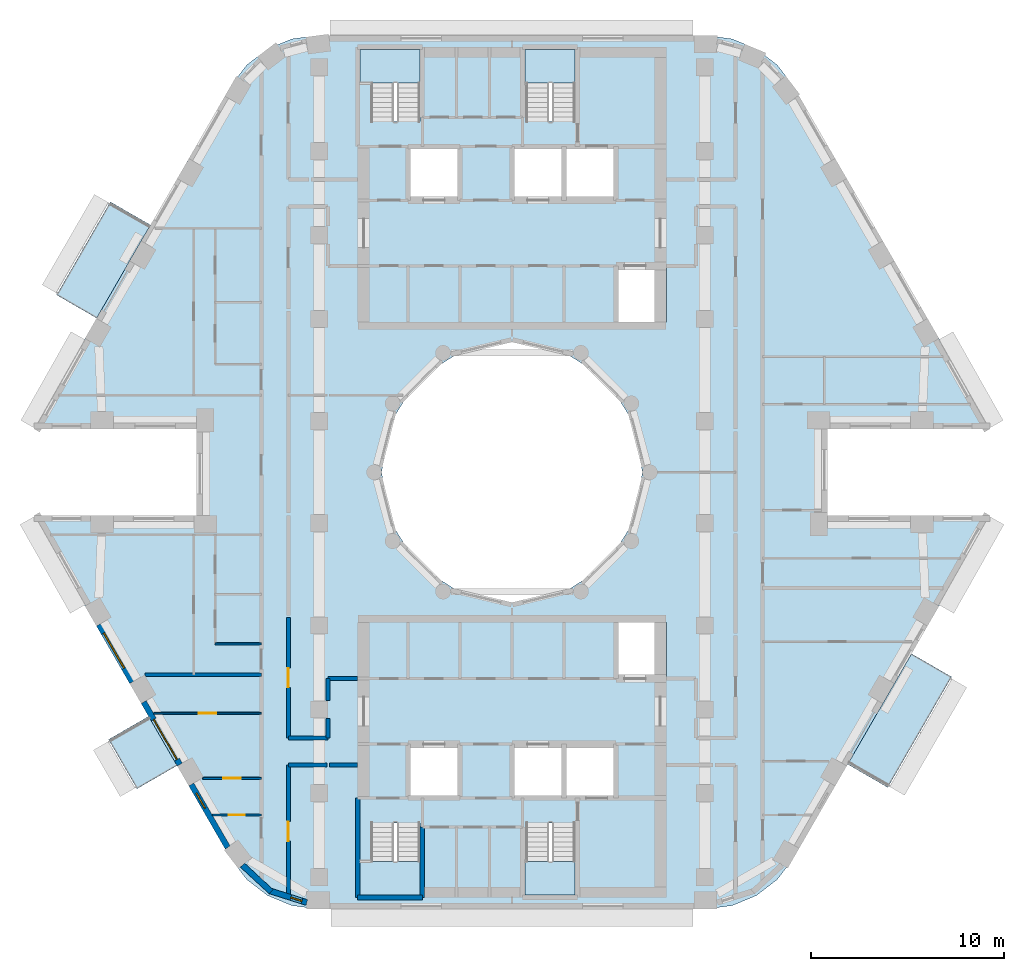
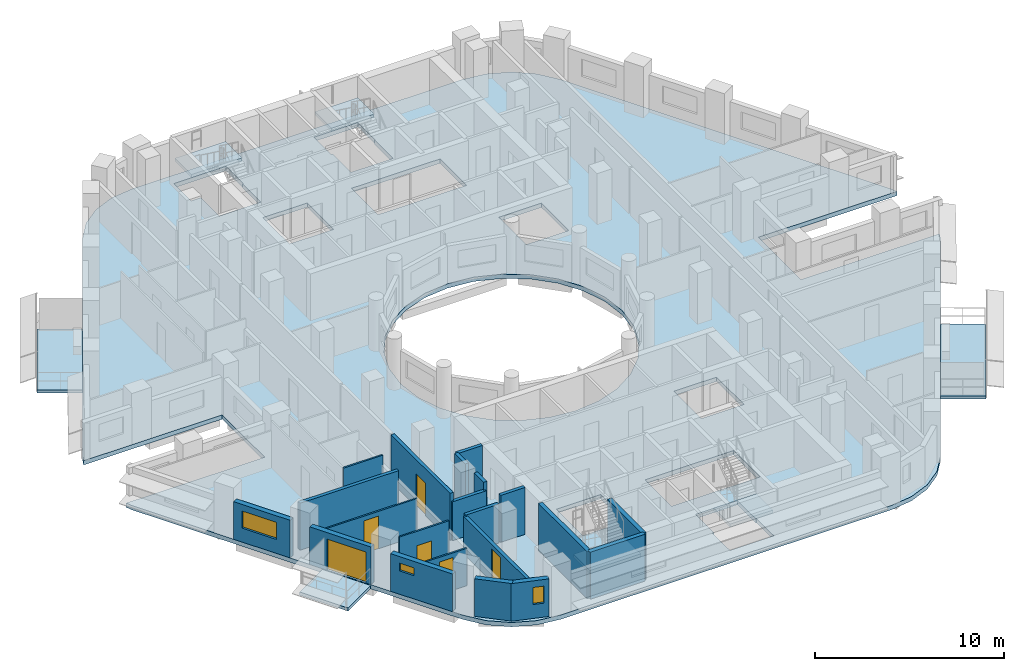
# One storey, part 2 of 17: 21 walls, 8 slabs, 6 doors, 3 windows, 9 openings, 4 elements without a shape of their own.
"""IFC4 building model written with IfcOpenShell, lengths in metres."""

from ifc_helpers import new_model, si_unit, direction, frame, frame_2d, origin, place, context, subcontext, project, spatial, polyline, rectangle, outline, extrude, material, layer, layer_set, type_object, element, fill, aggregate, save


model = new_model("IFC4")

# Units and contexts
model_context = context("Model", 3, precision=1e-05, world=origin(), true_north=direction((0.0, 1.0)))
body_context = subcontext(model_context, "Body", "Model", "MODEL_VIEW")
ifc_project = project(units=[si_unit("LENGTHUNIT", "METRE"), si_unit("AREAUNIT", "SQUARE_METRE"), si_unit("VOLUMEUNIT", "CUBIC_METRE"), si_unit("PLANEANGLEUNIT", "RADIAN"), si_unit("MASSUNIT", "GRAM", prefix="KILO")], contexts=[model_context])

# Site, building, storey
site_placement = place(None, origin())
site = spatial("IfcSite", under=ifc_project, at=site_placement, CompositionType="ELEMENT")
building_placement = place(site_placement, origin())
building = spatial("IfcBuilding", under=site, at=building_placement, Name="Nakaniwa Court", CompositionType="ELEMENT")
storey_placement = place(building_placement, frame((0.0, 0.0, 206.39990234375)))
storey = spatial("IfcBuildingStorey", under=building, at=storey_placement, Name="L54", CompositionType="ELEMENT", Elevation=206.39990234375)

# Slabs
ifc_material_1 = material(Name="Charcoal ceramic paver")
ifc_layer_1 = layer(ifc_material_1, 0.02, Name="Ceramic paver")
ifc_material_2 = material(Name="Cement sand screed")
ifc_layer_2 = layer(ifc_material_2, 0.03, Name="Falls screed")
ifc_material_3 = material(Name="Concrete C40/50", Category="concrete")
ifc_layer_3 = layer(ifc_material_3, 0.15, Name="Balcony slab")
ifc_layer_set_1 = layer_set([ifc_layer_1, ifc_layer_2, ifc_layer_3], Name="Concrete C40/50 balcony slab with ceramic paver finish")
slab_type_1 = type_object("IfcSlabType", Name="Balcony slab 200", PredefinedType="FLOOR", material=ifc_layer_set_1)
slab_1_placement = place(storey_placement, frame((0.0, 0.0, -0.25)))
element("IfcSlab", 1, at=slab_1_placement, inside=storey, type_object=slab_type_1, Name="L54 balcony 01", PredefinedType="FLOOR", context=body_context, shape_type="SweptSolid", body=[
    extrude(outline(polyline([(61.2490234375, 92.822509765625), (58.46142578125, 87.994140625), (56.383056640625, 89.194091796875), (59.170654296875, 94.0224609375), (61.2490234375, 92.822509765625)])), origin(), (0.0, 0.0, 1.0), 0.2001953125),
])
slab_2_placement = place(storey_placement, frame((0.0, 0.0, -0.25)))
element("IfcSlab", 2, at=slab_2_placement, inside=storey, type_object=slab_type_1, Name="L54 balcony 02", PredefinedType="FLOOR", context=body_context, shape_type="SweptSolid", body=[
    extrude(outline(polyline([(61.1552734375, 67.340087890625), (62.629150390625, 64.787353515625), (60.55078125, 63.58740234375), (59.076904296875, 66.139892578125), (61.1552734375, 67.340087890625)])), origin(), (0.0, 0.0, 1.0), 0.2001953125),
])
slab_3_placement = place(storey_placement, frame((0.0, 0.0, -0.25)))
element("IfcSlab", 3, at=slab_3_placement, inside=storey, type_object=slab_type_1, Name="L54 balcony 03", PredefinedType="FLOOR", context=body_context, shape_type="SweptSolid", body=[
    extrude(outline(polyline([(97.409423828125, 64.85400390625), (100.718994140625, 70.586181640625), (102.797607421875, 69.38623046875), (99.48779296875, 63.65380859375), (97.409423828125, 64.85400390625)])), origin(), (0.0, 0.0, 1.0), 0.2001953125),
])
ifc_material_4 = material(Name="Concrete C80/100", Category="concrete")
ifc_layer_4 = layer(ifc_material_4, 0.27490234375)
ifc_layer_set_2 = layer_set([ifc_layer_4], Name="Concrete C80/100")
slab_type_2 = type_object("IfcSlabType", Name="Concrete C80/100 post tensioned floor slab 275", PredefinedType="FLOOR", material=ifc_layer_set_2)
slab_4_placement = place(storey_placement, frame((0.0, 0.0, -0.27490234375)))
element("IfcSlab", 4, at=slab_4_placement, inside=storey, type_object=slab_type_2, Name="FLOOR SLAB", PredefinedType="FLOOR", context=body_context, shape_type="SweptSolid", body=[
    extrude(outline(polyline([(96.349609375, 82.25), (104.7978515625, 82.25), (104.65283203125, 82.60009765625), (94.578125, 100.050048828125), (93.751708984375, 101.126953125), (92.6748046875, 101.953369140625), (91.420654296875, 102.472900390625), (90.07470703125, 102.64990234375), (69.92529296875, 102.64990234375), (68.579345703125, 102.472900390625), (67.3251953125, 101.953369140625), (66.248291015625, 101.126953125), (65.421875, 100.050048828125), (55.34716796875, 82.60009765625), (55.2021484375, 82.25), (63.650390625, 82.25), (63.650390625, 77.75), (55.2021484375, 77.75), (55.34716796875, 77.39990234375), (65.421875, 59.949951171875), (66.248291015625, 58.873046875), (67.3251953125, 58.046630859375), (68.579345703125, 57.527099609375), (69.92529296875, 57.35009765625), (90.07470703125, 57.35009765625), (91.420654296875, 57.527099609375), (92.6748046875, 58.046630859375), (93.751708984375, 58.873046875), (94.578125, 59.949951171875), (104.65283203125, 77.39990234375), (104.7978515625, 77.75), (96.349609375, 77.75), (96.349609375, 82.25)]), holes=[polyline([(81.501953125, 86.580810546875), (80.0, 86.75), (78.498046875, 86.580810546875), (77.0712890625, 86.08154296875), (75.79150390625, 85.27734375), (74.72265625, 84.20849609375), (73.91845703125, 82.9287109375), (73.419189453125, 81.501953125), (73.25, 80.0), (73.419189453125, 78.498046875), (73.91845703125, 77.0712890625), (74.72265625, 75.79150390625), (75.79150390625, 74.72265625), (77.0712890625, 73.91845703125), (78.498046875, 73.419189453125), (80.0, 73.25), (81.501953125, 73.419189453125), (82.9287109375, 73.91845703125), (84.20849609375, 74.72265625), (85.27734375, 75.79150390625), (86.08154296875, 77.0712890625), (86.580810546875, 78.498046875), (86.75, 80.0), (86.580810546875, 81.501953125), (86.08154296875, 82.9287109375), (85.27734375, 84.20849609375), (84.20849609375, 85.27734375), (82.9287109375, 86.08154296875), (81.501953125, 86.580810546875)]), polyline([(72.675048828125, 61.81005859375), (72.675048828125, 59.864990234375), (72.0849609375, 59.864990234375), (72.0849609375, 58.034912109375), (75.264892578125, 58.034912109375), (75.264892578125, 59.864990234375), (75.22509765625, 59.864990234375), (75.22509765625, 61.81005859375), (72.675048828125, 61.81005859375)]), polyline([(77.300048828125, 65.89990234375), (74.60009765625, 65.89990234375), (74.60009765625, 63.10009765625), (77.300048828125, 63.10009765625), (77.300048828125, 65.89990234375)]), polyline([(80.0, 65.89990234375), (80.0, 63.10009765625), (82.699951171875, 63.10009765625), (85.39990234375, 63.10009765625), (85.39990234375, 65.89990234375), (82.699951171875, 65.89990234375), (80.0, 65.89990234375)]), polyline([(77.300048828125, 96.89990234375), (74.60009765625, 96.89990234375), (74.60009765625, 94.10009765625), (77.300048828125, 94.10009765625), (77.300048828125, 96.89990234375)]), polyline([(80.0, 96.89990234375), (80.0, 94.10009765625), (82.699951171875, 94.10009765625), (85.39990234375, 94.10009765625), (85.39990234375, 96.89990234375), (82.699951171875, 96.89990234375), (80.0, 96.89990234375)]), polyline([(75.264892578125, 100.135009765625), (75.264892578125, 101.965087890625), (72.0849609375, 101.965087890625), (72.0849609375, 100.135009765625), (72.675048828125, 100.135009765625), (72.675048828125, 98.18994140625), (75.22509765625, 98.18994140625), (75.22509765625, 100.135009765625), (75.264892578125, 100.135009765625)]), polyline([(83.27490234375, 61.81005859375), (80.72509765625, 61.81005859375), (80.72509765625, 59.864990234375), (80.635009765625, 59.864990234375), (80.635009765625, 58.034912109375), (83.31494140625, 58.034912109375), (83.31494140625, 59.864990234375), (83.27490234375, 59.864990234375), (83.27490234375, 61.81005859375)]), polyline([(88.0, 72.199951171875), (85.39990234375, 72.199951171875), (85.39990234375, 69.300048828125), (88.0, 69.300048828125), (88.0, 72.199951171875)]), polyline([(88.0, 90.699951171875), (85.39990234375, 90.699951171875), (85.39990234375, 87.800048828125), (88.0, 87.800048828125), (88.0, 90.699951171875)]), polyline([(83.31494140625, 100.135009765625), (83.31494140625, 101.965087890625), (80.635009765625, 101.965087890625), (80.635009765625, 100.135009765625), (80.72509765625, 100.135009765625), (80.72509765625, 98.18994140625), (83.27490234375, 98.18994140625), (83.27490234375, 100.135009765625), (83.31494140625, 100.135009765625)])]), origin(), (0.0, 0.0, 1.0), 0.27490234375),
])

# Stair, slab
stair_type = type_object("IfcStairType", Name="Dog leg stair 1200 wide 18 risers", PredefinedType="HALF_TURN_STAIR", material=ifc_material_4)
stair_1_placement = place(storey_placement, origin())
stair_1 = element("IfcStair", 5, at=stair_1_placement, inside=storey, type_object=stair_type, Name="L54 Stair ST1", PredefinedType="HALF_TURN_STAIR")
ifc_layer_5 = layer(ifc_material_4, 0.199951171875)
ifc_layer_set_3 = layer_set([ifc_layer_5], Name="Concrete C80/100")
slab_type_3 = type_object("IfcSlabType", Name="Stair landing concrete", PredefinedType="LANDING", material=ifc_layer_set_3)
slab_5_placement = place(storey_placement, frame((0.0, 0.0, 1.4501953125)))
slab_5 = element("IfcSlab", 6, at=slab_5_placement, type_object=slab_type_3, Name="ST1 landing 1", PredefinedType="LANDING", context=body_context, shape_type="SweptSolid", body=[
    extrude(outline(polyline([(75.22509765625, 100.175048828125), (75.22509765625, 101.925048828125), (72.125, 101.925048828125), (72.125, 100.175048828125), (75.22509765625, 100.175048828125)])), origin(), (0.0, 0.0, 1.0), 0.199951171875),
])
aggregate(stair_1, [slab_5])

stair_2_placement = place(storey_placement, origin())
stair_2 = element("IfcStair", 7, at=stair_2_placement, inside=storey, type_object=stair_type, Name="L54 Stair ST2", PredefinedType="HALF_TURN_STAIR")
slab_6_placement = place(storey_placement, frame((0.0, 0.0, 1.4501953125)))
slab_6 = element("IfcSlab", 8, at=slab_6_placement, type_object=slab_type_3, Name="ST2 landing 1", PredefinedType="LANDING", context=body_context, shape_type="SweptSolid", body=[
    extrude(outline(polyline([(83.27490234375, 100.175048828125), (83.27490234375, 101.925048828125), (80.675048828125, 101.925048828125), (80.675048828125, 100.175048828125), (83.27490234375, 100.175048828125)])), origin(), (0.0, 0.0, 1.0), 0.199951171875),
])
aggregate(stair_2, [slab_6])

stair_3_placement = place(storey_placement, origin())
stair_3 = element("IfcStair", 9, at=stair_3_placement, inside=storey, type_object=stair_type, Name="L54 Stair ST3", PredefinedType="HALF_TURN_STAIR")
slab_7_placement = place(storey_placement, frame((0.0, 0.0, 1.4501953125)))
slab_7 = element("IfcSlab", 10, at=slab_7_placement, type_object=slab_type_3, Name="ST3 landing 1", PredefinedType="LANDING", context=body_context, shape_type="SweptSolid", body=[
    extrude(outline(polyline([(75.22509765625, 58.074951171875), (75.22509765625, 59.824951171875), (72.125, 59.824951171875), (72.125, 58.074951171875), (75.22509765625, 58.074951171875)])), origin(), (0.0, 0.0, 1.0), 0.199951171875),
])
aggregate(stair_3, [slab_7])

stair_4_placement = place(storey_placement, origin())
stair_4 = element("IfcStair", 11, at=stair_4_placement, inside=storey, type_object=stair_type, Name="L54 Stair ST4", PredefinedType="HALF_TURN_STAIR")
slab_8_placement = place(storey_placement, frame((0.0, 0.0, 1.4501953125)))
slab_8 = element("IfcSlab", 12, at=slab_8_placement, type_object=slab_type_3, Name="ST4 landing 1", PredefinedType="LANDING", context=body_context, shape_type="SweptSolid", body=[
    extrude(outline(polyline([(83.27490234375, 58.074951171875), (83.27490234375, 59.824951171875), (80.675048828125, 59.824951171875), (80.675048828125, 58.074951171875), (83.27490234375, 58.074951171875)])), origin(), (0.0, 0.0, 1.0), 0.199951171875),
])
aggregate(stair_4, [slab_8])

# Walls
ifc_material_5 = material(Name="Acoustic double stud partition")
ifc_layer_6 = layer(ifc_material_5, 0.199951171875)
ifc_layer_set_4 = layer_set([ifc_layer_6], Name="Acoustic double stud partition")
wall_type_1 = type_object("IfcWallType", Name="Acoustic double stud partition 200", PredefinedType="PARTITIONING", material=ifc_layer_set_4)
wall_1_placement = place(storey_placement, frame((68.39990234375, 64.824951171875, 0.0), z_axis=(0.0, 0.0, 1.0), x_axis=(1.0, 0.0, 0.0)))
element("IfcWall", 13, at=wall_1_placement, inside=storey, type_object=wall_type_1, Name="Partition PW-080", PredefinedType="PARTITIONING", context=body_context, shape_type="SweptSolid", body=[
    extrude(rectangle(XDim=2.012939453125, YDim=0.199951171875, at=frame_2d((1.00634765625, 0.0))), origin(), (0.0, 0.0, 1.0), 2.505126953125),
])
wall_2_placement = place(storey_placement, frame((70.527099609375, 64.824951171875, 0.0), z_axis=(0.0, 0.0, 1.0), x_axis=(1.0, 0.0, 0.0)))
element("IfcWall", 14, at=wall_2_placement, inside=storey, type_object=wall_type_1, Name="Partition PW-081", PredefinedType="PARTITIONING", context=body_context, shape_type="SweptSolid", body=[
    extrude(rectangle(XDim=1.472900390625, YDim=0.199951171875, at=frame_2d((0.736328125, 0.0))), origin(), (0.0, 0.0, 1.0), 3.025146484375),
])
wall_3_placement = place(storey_placement, frame((70.449951171875, 69.300048828125, 0.0), z_axis=(0.0, 0.0, 1.0), x_axis=(1.0, 0.0, 0.0)))
element("IfcWall", 15, at=wall_3_placement, inside=storey, type_object=wall_type_1, Name="Partition PW-085", PredefinedType="PARTITIONING", context=body_context, shape_type="SweptSolid", body=[
    extrude(rectangle(XDim=1.550048828125, YDim=0.199951171875, at=frame_2d((0.77490234375, 0.0))), origin(), (0.0, 0.0, 1.0), 3.025146484375),
])
wall_4_placement = place(storey_placement, frame((68.39990234375, 66.22509765625, 0.0), z_axis=(0.0, 0.0, 1.0), x_axis=(1.0, 0.0, 0.0)))
element("IfcWall", 16, at=wall_4_placement, inside=storey, type_object=wall_type_1, Name="Partition PW-091", PredefinedType="PARTITIONING", context=body_context, shape_type="SweptSolid", body=[
    extrude(rectangle(XDim=2.050048828125, YDim=0.199951171875, at=frame_2d((1.02490234375, 0.0))), origin(), (0.0, 0.0, 1.0), 2.505126953125),
])

# Wall, opening, door
wall_5_placement = place(storey_placement, frame((68.39990234375, 64.824951171875, 0.0), z_axis=(0.0, 0.0, 1.0), x_axis=(0.0, -1.0, 0.0)))
wall_5 = element("IfcWall", 17, at=wall_5_placement, inside=storey, type_object=wall_type_1, Name="Partition PW-101", PredefinedType="PARTITIONING", context=body_context, shape_type="SweptSolid", body=[
    extrude(rectangle(XDim=6.898681640625, YDim=0.199951171875, at=frame_2d((3.44921875, 0.0))), origin(), (0.0, 0.0, 1.0), 2.405029296875),
])
opening_1_placement = place(wall_5_placement, frame((2.949951171875, 0.0, 0.0)))
opening_1 = element("IfcOpeningElement", 18, at=opening_1_placement, cuts=wall_5, Name="Opening D-02-04", PredefinedType="OPENING", context=body_context, shape_type="SweptSolid", body=[
    extrude(rectangle(XDim=1.0, YDim=2.10009765625, at=frame_2d((0.5, 1.050048828125))), frame((0.0, 0.10986328125, 0.0), z_axis=(0.0, -1.0, 0.0), x_axis=(1.0, 0.0, 0.0)), (0.0, 0.0, 1.0), 0.219970703125),
])
ifc_material_6 = material(Name="Solid core timber door set, black veneer", Category="wood")
door_type_1 = type_object("IfcDoorType", Name="Internal door 1000", OperationType="NOTDEFINED", PredefinedType="DOOR", material=ifc_material_6)
door_1_placement = place(opening_1_placement, origin())
door_1 = element("IfcDoor", 19, at=door_1_placement, inside=storey, type_object=door_type_1, Name="Door D-02-04 L54-041", OperationType="SINGLE_SWING_RIGHT", OverallHeight=2.10009765625, OverallWidth=1.0, PredefinedType="DOOR", context=body_context, shape_type="SweptSolid", body=[
    extrude(rectangle(XDim=1.0, YDim=2.10009765625, at=frame_2d((0.5, 1.050048828125))), frame((0.0, 0.02490234375, 0.0), z_axis=(0.0, -1.0, 0.0), x_axis=(1.0, 0.0, 0.0)), (0.0, 0.0, 1.0), 0.050048828125),
])
fill(opening_1, door_1)

wall_6_placement = place(storey_placement, frame((68.39990234375, 72.462890625, 0.0), z_axis=(0.0, 0.0, 1.0), x_axis=(0.0, -1.0, 0.0)))
wall_6 = element("IfcWall", 20, at=wall_6_placement, inside=storey, type_object=wall_type_1, Name="Partition PW-102", PredefinedType="PARTITIONING", context=body_context, shape_type="SweptSolid", body=[
    extrude(rectangle(XDim=6.23779296875, YDim=0.199951171875, at=frame_2d((3.118896484375, 0.0))), origin(), (0.0, 0.0, 1.0), 3.025146484375),
])
opening_2_placement = place(wall_6_placement, frame((2.6201171875, 0.0, 0.0)))
opening_2 = element("IfcOpeningElement", 21, at=opening_2_placement, cuts=wall_6, Name="Opening D-02-05", PredefinedType="OPENING", context=body_context, shape_type="SweptSolid", body=[
    extrude(rectangle(XDim=1.0, YDim=2.10009765625, at=frame_2d((0.5, 1.050048828125))), frame((0.0, 0.10986328125, 0.0), z_axis=(0.0, -1.0, 0.0), x_axis=(1.0, 0.0, 0.0)), (0.0, 0.0, 1.0), 0.219970703125),
])
door_2_placement = place(opening_2_placement, origin())
door_2 = element("IfcDoor", 22, at=door_2_placement, inside=storey, type_object=door_type_1, Name="Door D-02-05 L54-050", OperationType="SINGLE_SWING_LEFT", OverallHeight=2.10009765625, OverallWidth=1.0, PredefinedType="DOOR", context=body_context, shape_type="SweptSolid", body=[
    extrude(rectangle(XDim=1.0, YDim=2.10009765625, at=frame_2d((0.5, 1.050048828125))), frame((0.0, 0.02490234375, 0.0), z_axis=(0.0, -1.0, 0.0), x_axis=(1.0, 0.0, 0.0)), (0.0, 0.0, 1.0), 0.050048828125),
])
fill(opening_2, door_2)

# Walls
wall_7_placement = place(storey_placement, frame((70.449951171875, 66.22509765625, 0.0), z_axis=(0.0, 0.0, 1.0), x_axis=(0.0, 1.0, 0.0)))
element("IfcWall", 23, at=wall_7_placement, inside=storey, type_object=wall_type_1, Name="Partition PW-108", PredefinedType="PARTITIONING", context=body_context, shape_type="SweptSolid", body=[
    extrude(rectangle(XDim=1.0078125, YDim=0.199951171875, at=frame_2d((0.50390625, 0.0))), origin(), (0.0, 0.0, 1.0), 3.025146484375),
])
wall_8_placement = place(storey_placement, frame((70.449951171875, 68.167236328125, 0.0), z_axis=(0.0, 0.0, 1.0), x_axis=(0.0, 1.0, 0.0)))
element("IfcWall", 24, at=wall_8_placement, inside=storey, type_object=wall_type_1, Name="Partition PW-109", PredefinedType="PARTITIONING", context=body_context, shape_type="SweptSolid", body=[
    extrude(rectangle(XDim=1.1328125, YDim=0.199951171875, at=frame_2d((0.56640625, 0.0))), origin(), (0.0, 0.0, 1.0), 3.025146484375),
])
wall_9_placement = place(storey_placement, frame((60.970703125, 69.5, 0.0), z_axis=(0.0, 0.0, 1.0), x_axis=(1.0, 0.0, 0.0)))
element("IfcWall", 25, at=wall_9_placement, inside=storey, type_object=wall_type_1, Name="Partition PW-129", PredefinedType="PARTITIONING", context=body_context, shape_type="SweptSolid", body=[
    extrude(rectangle(XDim=6.0283203125, YDim=0.199951171875, at=frame_2d((3.01416015625, 0.0))), origin(), (0.0, 0.0, 1.0), 3.025146484375),
])

# Wall, opening, window
ifc_material_7 = material(Name="Charcoal ceramic cladding")
ifc_layer_7 = layer(ifc_material_7, 0.02, Name="Ceramic cladding")
ifc_material_8 = material(Name="Ventilated air cavity")
ifc_layer_8 = layer(ifc_material_8, 0.04, ventilated=True, Name="Ventilated cavity")
ifc_material_9 = material(Name="Mineral wool insulation")
ifc_layer_9 = layer(ifc_material_9, 0.1, Name="Insulation")
ifc_material_10 = material(Name="Cement bonded sheathing board")
ifc_layer_10 = layer(ifc_material_10, 0.012, Name="Sheathing")
ifc_material_11 = material(Name="Cold-formed galvanised stud frame with mineral wool infill")
ifc_layer_11 = layer(ifc_material_11, 0.1, Name="Stud frame")
ifc_material_12 = material(Name="Fire-rated gypsum plasterboard lining")
ifc_layer_12 = layer(ifc_material_12, 0.028, Name="Lining")
ifc_layer_set_5 = layer_set([ifc_layer_7, ifc_layer_8, ifc_layer_9, ifc_layer_10, ifc_layer_11, ifc_layer_12], Name="Charcoal ceramic faced external wall system")
wall_type_2 = type_object("IfcWallType", Name="Black ceramic faced external wall 300", PredefinedType="SOLIDWALL", material=ifc_layer_set_5)
wall_10_placement = place(storey_placement, frame((58.579345703125, 72.101806640625, 0.0), z_axis=(0.0, 0.0, 1.0), x_axis=(0.499955427682, -0.866051136095, 0.0)))
wall_10 = element("IfcWall", 26, at=wall_10_placement, inside=storey, type_object=wall_type_2, Name="L54 external wall 21", PredefinedType="SOLIDWALL", context=body_context, shape_type="SweptSolid", body=[
    extrude(rectangle(XDim=3.447021484375, YDim=0.300048828125, at=frame_2d((1.7236328125, 0.0))), origin(), (0.0, 0.0, 1.0), 2.425048828125),
])
opening_3_placement = place(wall_10_placement, frame((0.51318359375, 0.0, 0.89990234375)))
opening_3 = element("IfcOpeningElement", 27, at=opening_3_placement, cuts=wall_10, Name="Opening W7.23", PredefinedType="OPENING", context=body_context, shape_type="SweptSolid", body=[
    extrude(rectangle(XDim=2.10009765625, YDim=1.10009765625, at=frame_2d((1.050048828125, 0.550048828125))), frame((0.0, 0.159912109375, 0.0), z_axis=(0.0, -1.0, 0.0), x_axis=(1.0, 0.0, 0.0)), (0.0, 0.0, 1.0), 0.320068359375),
])
ifc_material_13 = material(Name="Black anodised aluminium frame with dark low-E laminated double glazing", Category="aluminium")
window_type_1 = type_object("IfcWindowType", Name="Dark glass window 2100x1100 sill 900", PartitioningType="SINGLE_PANEL", PredefinedType="WINDOW", material=ifc_material_13)
window_1_placement = place(opening_3_placement, origin())
window_1 = element("IfcWindow", 28, at=window_1_placement, inside=storey, type_object=window_type_1, Name="L54 living window 21-0", OverallHeight=1.10009765625, OverallWidth=2.10009765625, PartitioningType="SINGLE_PANEL", PredefinedType="WINDOW", context=body_context, shape_type="SweptSolid", body=[
    extrude(rectangle(XDim=2.10009765625, YDim=1.10009765625, at=frame_2d((1.050048828125, 0.550048828125))), frame((0.0, 0.030029296875, 0.0), z_axis=(0.0, -1.0, 0.0), x_axis=(1.0, 0.0, 0.0)), (0.0, 0.0, 1.0), 0.06005859375),
])
fill(opening_3, window_1)

# Wall, opening, door
wall_11_placement = place(storey_placement, frame((60.898681640625, 68.083984375, 0.0), z_axis=(0.0, 0.0, 1.0), x_axis=(0.500059225181, -0.86599120741, 0.0)))
wall_11 = element("IfcWall", 29, at=wall_11_placement, inside=storey, type_object=wall_type_2, Name="L54 external wall 22", PredefinedType="SOLIDWALL", context=body_context, shape_type="SweptSolid", body=[
    extrude(rectangle(XDim=3.744140625, YDim=0.300048828125, at=frame_2d((1.8720703125, 0.0))), origin(), (0.0, 0.0, 1.0), 2.425048828125),
])
opening_4_placement = place(wall_11_placement, frame((1.04638671875, 0.0, 0.0)))
opening_4 = element("IfcOpeningElement", 30, at=opening_4_placement, cuts=wall_11, Name="Opening XD13.02", PredefinedType="OPENING", context=body_context, shape_type="SweptSolid", body=[
    extrude(rectangle(XDim=2.39990234375, YDim=2.0, at=frame_2d((1.199951171875, 1.0))), frame((0.0, 0.159912109375, 0.0), z_axis=(0.0, -1.0, 0.0), x_axis=(1.0, 0.0, 0.0)), (0.0, 0.0, 1.0), 0.320068359375),
])
ifc_material_14 = material(Name="Black powder-coated aluminium frame with dark laminated glass", Category="aluminium")
door_type_2 = type_object("IfcDoorType", Name="Balcony sliding door 2400x2000", OperationType="DOUBLE_DOOR_SLIDING", PredefinedType="DOOR", material=ifc_material_14)
door_3_placement = place(opening_4_placement, origin())
door_3 = element("IfcDoor", 31, at=door_3_placement, inside=storey, type_object=door_type_2, Name="L54 balcony sliding door 02", OperationType="DOUBLE_DOOR_SLIDING", OverallHeight=2.0, OverallWidth=2.39990234375, PredefinedType="DOOR", context=body_context, shape_type="SweptSolid", body=[
    extrude(rectangle(XDim=2.39990234375, YDim=2.0, at=frame_2d((1.199951171875, 1.0))), frame((0.0, 0.02490234375, 0.0), z_axis=(0.0, -1.0, 0.0), x_axis=(1.0, 0.0, 0.0)), (0.0, 0.0, 1.0), 0.050048828125),
])
fill(opening_4, door_3)

# Wall, opening, window
wall_12_placement = place(storey_placement, frame((63.366943359375, 63.809326171875, 0.0), z_axis=(0.0, 0.0, 1.0), x_axis=(0.499961087031, -0.866047869032, 0.0)))
wall_12 = element("IfcWall", 32, at=wall_12_placement, inside=storey, type_object=wall_type_2, Name="L54 external wall 23", PredefinedType="SOLIDWALL", context=body_context, shape_type="SweptSolid", body=[
    extrude(rectangle(XDim=3.778564453125, YDim=0.300048828125, at=frame_2d((1.88916015625, 0.0))), origin(), (0.0, 0.0, 1.0), 2.425048828125),
])
opening_5_placement = place(wall_12_placement, frame((0.525634765625, 0.0, 1.5)))
opening_5 = element("IfcOpeningElement", 33, at=opening_5_placement, cuts=wall_12, Name="Opening W10.24", PredefinedType="OPENING", context=body_context, shape_type="SweptSolid", body=[
    extrude(rectangle(XDim=0.89990234375, YDim=0.5, at=frame_2d((0.449951171875, 0.25))), frame((0.0, 0.159912109375, 0.0), z_axis=(0.0, -1.0, 0.0), x_axis=(1.0, 0.0, 0.0)), (0.0, 0.0, 1.0), 0.320068359375),
])
window_type_2 = type_object("IfcWindowType", Name="Dark glass window 900x500 sill 1500", PartitioningType="SINGLE_PANEL", PredefinedType="WINDOW", material=ifc_material_13)
window_2_placement = place(opening_5_placement, origin())
window_2 = element("IfcWindow", 34, at=window_2_placement, inside=storey, type_object=window_type_2, Name="L54 bathroom window 23-0", OverallHeight=0.5, OverallWidth=0.89990234375, PartitioningType="SINGLE_PANEL", PredefinedType="WINDOW", context=body_context, shape_type="SweptSolid", body=[
    extrude(rectangle(XDim=0.89990234375, YDim=0.5, at=frame_2d((0.449951171875, 0.25))), frame((0.0, 0.030029296875, 0.0), z_axis=(0.0, -1.0, 0.0), x_axis=(1.0, 0.0, 0.0)), (0.0, 0.0, 1.0), 0.06005859375),
])
fill(opening_5, window_2)

# Wall
wall_13_placement = place(storey_placement, frame((66.0224609375, 59.622314453125, 0.0), z_axis=(0.0, 0.0, 1.0), x_axis=(0.734627852992, -0.678470277616, 0.0)))
element("IfcWall", 35, at=wall_13_placement, inside=storey, type_object=wall_type_2, Name="L54 external wall 24", PredefinedType="SOLIDWALL", context=body_context, shape_type="SweptSolid", body=[
    extrude(rectangle(XDim=2.02587890625, YDim=0.300048828125, at=frame_2d((1.012939453125, 0.0))), origin(), (0.0, 0.0, 1.0), 2.425048828125),
])

# Wall, opening, window
wall_14_placement = place(storey_placement, frame((67.40576171875, 58.3017578125, 0.0), z_axis=(0.0, 0.0, 1.0), x_axis=(0.953537608367, -0.301274010545, 0.0)))
wall_14 = element("IfcWall", 36, at=wall_14_placement, inside=storey, type_object=wall_type_2, Name="L54 external wall 25", PredefinedType="SOLIDWALL", context=body_context, shape_type="SweptSolid", body=[
    extrude(rectangle(XDim=2.0478515625, YDim=0.300048828125, at=frame_2d((1.02392578125, 0.0))), origin(), (0.0, 0.0, 1.0), 2.425048828125),
])
opening_6_placement = place(wall_14_placement, frame((1.1796875, 0.0, 0.89990234375)))
opening_6 = element("IfcOpeningElement", 37, at=opening_6_placement, cuts=wall_14, Name="Opening W8.25", PredefinedType="OPENING", context=body_context, shape_type="SweptSolid", body=[
    extrude(rectangle(XDim=0.60009765625, YDim=1.10009765625, at=frame_2d((0.300048828125, 0.550048828125))), frame((0.0, 0.159912109375, 0.0), z_axis=(0.0, -1.0, 0.0), x_axis=(1.0, 0.0, 0.0)), (0.0, 0.0, 1.0), 0.320068359375),
])
window_type_3 = type_object("IfcWindowType", Name="Dark glass window 600x1100 sill 900", PartitioningType="SINGLE_PANEL", PredefinedType="WINDOW", material=ifc_material_13)
window_3_placement = place(opening_6_placement, origin())
window_3 = element("IfcWindow", 38, at=window_3_placement, inside=storey, type_object=window_type_3, Name="L54 habitable room window 25-1", OverallHeight=1.10009765625, OverallWidth=0.60009765625, PartitioningType="SINGLE_PANEL", PredefinedType="WINDOW", context=body_context, shape_type="SweptSolid", body=[
    extrude(rectangle(XDim=0.60009765625, YDim=1.10009765625, at=frame_2d((0.300048828125, 0.550048828125))), frame((0.0, 0.030029296875, 0.0), z_axis=(0.0, -1.0, 0.0), x_axis=(1.0, 0.0, 0.0)), (0.0, 0.0, 1.0), 0.06005859375),
])
fill(opening_6, window_3)

# Walls
ifc_layer_13 = layer(ifc_material_4, 0.25)
ifc_layer_set_6 = layer_set([ifc_layer_13], Name="Concrete C80/100")
wall_type_3 = type_object("IfcWallType", Name="Concrete core wall 250 C80", PredefinedType="SHEAR", material=ifc_layer_set_6)
wall_15_placement = place(storey_placement, frame((72.0, 57.949951171875, -0.27490234375), z_axis=(0.0, 0.0, 1.0), x_axis=(0.0, 1.0, 0.0)))
element("IfcWall", 39, at=wall_15_placement, inside=storey, type_object=wall_type_3, Name="Core wall SW-62", PredefinedType="SHEAR", context=body_context, shape_type="SweptSolid", body=[
    extrude(rectangle(XDim=5.150146484375, YDim=0.25, at=frame_2d((2.5751953125, 0.0))), origin(), (0.0, 0.0, 1.0), 3.300048828125),
])
wall_16_placement = place(storey_placement, frame((72.0, 57.949951171875, -0.27490234375), z_axis=(0.0, 0.0, 1.0), x_axis=(1.0, 0.0, 0.0)))
element("IfcWall", 40, at=wall_16_placement, inside=storey, type_object=wall_type_3, Name="Core wall SW-63", PredefinedType="SHEAR", context=body_context, shape_type="SweptSolid", body=[
    extrude(rectangle(XDim=3.35009765625, YDim=0.25, at=frame_2d((1.675048828125, 0.0))), origin(), (0.0, 0.0, 1.0), 3.300048828125),
])
ifc_layer_14 = layer(ifc_material_4, 0.25)
ifc_layer_set_7 = layer_set([ifc_layer_14], Name="Concrete C80/100")
wall_type_4 = type_object("IfcWallType", Name="Concrete shaft wall 250 C80", PredefinedType="SHEAR", material=ifc_layer_set_7)
wall_17_placement = place(storey_placement, frame((75.35009765625, 57.949951171875, -0.27490234375), z_axis=(0.0, 0.0, 1.0), x_axis=(0.0, 1.0, 0.0)))
element("IfcWall", 41, at=wall_17_placement, inside=storey, type_object=wall_type_4, Name="Core wall SW-61", PredefinedType="SHEAR", context=body_context, shape_type="SweptSolid", body=[
    extrude(rectangle(XDim=3.653076171875, YDim=0.25, at=frame_2d((1.82666015625, 0.0))), origin(), (0.0, 0.0, 1.0), 3.300048828125),
])

# Wall, opening, door
ifc_material_15 = material(Name="Single stud plasterboard partition")
ifc_layer_15 = layer(ifc_material_15, 0.10009765625)
ifc_layer_set_8 = layer_set([ifc_layer_15], Name="Single stud plasterboard partition")
wall_type_5 = type_object("IfcWallType", Name="Single stud plasterboard partition 100", PredefinedType="PARTITIONING", material=ifc_layer_set_8)
wall_18_placement = place(storey_placement, frame((64.454833984375, 62.22509765625, 0.0), z_axis=(0.0, 0.0, 1.0), x_axis=(1.0, 0.0, 0.0)))
wall_18 = element("IfcWall", 42, at=wall_18_placement, inside=storey, type_object=wall_type_5, Name="Partition PW-116", PredefinedType="PARTITIONING", context=body_context, shape_type="SweptSolid", body=[
    extrude(rectangle(XDim=2.544189453125, YDim=0.10009765625, at=frame_2d((1.27197265625, 0.0))), origin(), (0.0, 0.0, 1.0), 2.405029296875),
])
opening_7_placement = place(wall_18_placement, frame((0.846923828125, 0.0, 0.0)))
opening_7 = element("IfcOpeningElement", 43, at=opening_7_placement, cuts=wall_18, Name="Opening D-03-03", PredefinedType="OPENING", context=body_context, shape_type="SweptSolid", body=[
    extrude(rectangle(XDim=0.85009765625, YDim=2.10009765625, at=frame_2d((0.425048828125, 1.050048828125))), frame((0.0, 0.06005859375, 0.0), z_axis=(0.0, -1.0, 0.0), x_axis=(1.0, 0.0, 0.0)), (0.0, 0.0, 1.0), 0.1201171875),
])
ifc_material_16 = material(Name="Moisture sealed timber door set", Category="wood")
door_type_3 = type_object("IfcDoorType", Name="Bathroom door 850", OperationType="NOTDEFINED", PredefinedType="DOOR", material=ifc_material_16)
door_4_placement = place(opening_7_placement, origin())
door_4 = element("IfcDoor", 44, at=door_4_placement, inside=storey, type_object=door_type_3, Name="Door D-03-03 L54-043", OperationType="SINGLE_SWING_RIGHT", OverallHeight=2.10009765625, OverallWidth=0.85009765625, PredefinedType="DOOR", context=body_context, shape_type="SweptSolid", body=[
    extrude(rectangle(XDim=0.85009765625, YDim=2.10009765625, at=frame_2d((0.425048828125, 1.050048828125))), frame((0.0, 0.02490234375, 0.0), z_axis=(0.0, -1.0, 0.0), x_axis=(1.0, 0.0, 0.0)), (0.0, 0.0, 1.0), 0.050048828125),
])
fill(opening_7, door_4)

wall_19_placement = place(storey_placement, frame((63.962158203125, 64.125, 0.0), z_axis=(0.0, 0.0, 1.0), x_axis=(1.0, 0.0, 0.0)))
wall_19 = element("IfcWall", 45, at=wall_19_placement, inside=storey, type_object=wall_type_5, Name="Partition PW-127", PredefinedType="PARTITIONING", context=body_context, shape_type="SweptSolid", body=[
    extrude(rectangle(XDim=3.036865234375, YDim=0.10009765625, at=frame_2d((1.5185546875, 0.0))), origin(), (0.0, 0.0, 1.0), 3.025146484375),
])
opening_8_placement = place(wall_19_placement, frame((1.068115234375, 0.0, 0.0)))
opening_8 = element("IfcOpeningElement", 46, at=opening_8_placement, cuts=wall_19, Name="Opening D-33-06", PredefinedType="OPENING", context=body_context, shape_type="SweptSolid", body=[
    extrude(rectangle(XDim=0.89990234375, YDim=2.10009765625, at=frame_2d((0.449951171875, 1.050048828125))), frame((0.0, 0.06005859375, 0.0), z_axis=(0.0, -1.0, 0.0), x_axis=(1.0, 0.0, 0.0)), (0.0, 0.0, 1.0), 0.1201171875),
])
door_type_4 = type_object("IfcDoorType", Name="Internal door 900", OperationType="NOTDEFINED", PredefinedType="DOOR", material=ifc_material_6)
door_5_placement = place(opening_8_placement, origin())
door_5 = element("IfcDoor", 47, at=door_5_placement, inside=storey, type_object=door_type_4, Name="Door D-33-06 L54-044", OperationType="SINGLE_SWING_LEFT", OverallHeight=2.10009765625, OverallWidth=0.89990234375, PredefinedType="DOOR", context=body_context, shape_type="SweptSolid", body=[
    extrude(rectangle(XDim=0.89990234375, YDim=2.10009765625, at=frame_2d((0.449951171875, 1.050048828125))), frame((0.0, 0.02490234375, 0.0), z_axis=(0.0, -1.0, 0.0), x_axis=(1.0, 0.0, 0.0)), (0.0, 0.0, 1.0), 0.050048828125),
])
fill(opening_8, door_5)

wall_20_placement = place(storey_placement, frame((61.4091796875, 67.5, 0.0), z_axis=(0.0, 0.0, 1.0), x_axis=(1.0, 0.0, 0.0)))
wall_20 = element("IfcWall", 48, at=wall_20_placement, inside=storey, type_object=wall_type_5, Name="Partition PW-128", PredefinedType="PARTITIONING", context=body_context, shape_type="SweptSolid", body=[
    extrude(rectangle(XDim=5.58984375, YDim=0.10009765625, at=frame_2d((2.794921875, 0.0))), origin(), (0.0, 0.0, 1.0), 2.405029296875),
])
opening_9_placement = place(wall_20_placement, frame((2.344970703125, 0.0, 0.0)))
opening_9 = element("IfcOpeningElement", 49, at=opening_9_placement, cuts=wall_20, Name="Opening D-33-07", PredefinedType="OPENING", context=body_context, shape_type="SweptSolid", body=[
    extrude(rectangle(XDim=0.89990234375, YDim=2.10009765625, at=frame_2d((0.449951171875, 1.050048828125))), frame((0.0, 0.06005859375, 0.0), z_axis=(0.0, -1.0, 0.0), x_axis=(1.0, 0.0, 0.0)), (0.0, 0.0, 1.0), 0.1201171875),
])
door_6_placement = place(opening_9_placement, origin())
door_6 = element("IfcDoor", 50, at=door_6_placement, inside=storey, type_object=door_type_4, Name="Door D-33-07 L54-045", OperationType="SINGLE_SWING_RIGHT", OverallHeight=2.10009765625, OverallWidth=0.89990234375, PredefinedType="DOOR", context=body_context, shape_type="SweptSolid", body=[
    extrude(rectangle(XDim=0.89990234375, YDim=2.10009765625, at=frame_2d((0.449951171875, 1.050048828125))), frame((0.0, 0.02490234375, 0.0), z_axis=(0.0, -1.0, 0.0), x_axis=(1.0, 0.0, 0.0)), (0.0, 0.0, 1.0), 0.050048828125),
])
fill(opening_9, door_6)

# Wall
wall_21_placement = place(storey_placement, frame((64.59912109375, 71.10009765625, 0.0), z_axis=(0.0, 0.0, 1.0), x_axis=(1.0, 0.0, 0.0)))
element("IfcWall", 51, at=wall_21_placement, inside=storey, type_object=wall_type_5, Name="Partition PW-133", PredefinedType="PARTITIONING", context=body_context, shape_type="SweptSolid", body=[
    extrude(rectangle(XDim=2.39990234375, YDim=0.10009765625, at=frame_2d((1.199951171875, 0.0))), origin(), (0.0, 0.0, 1.0), 3.025146484375),
])

save(model, "model.ifc")
